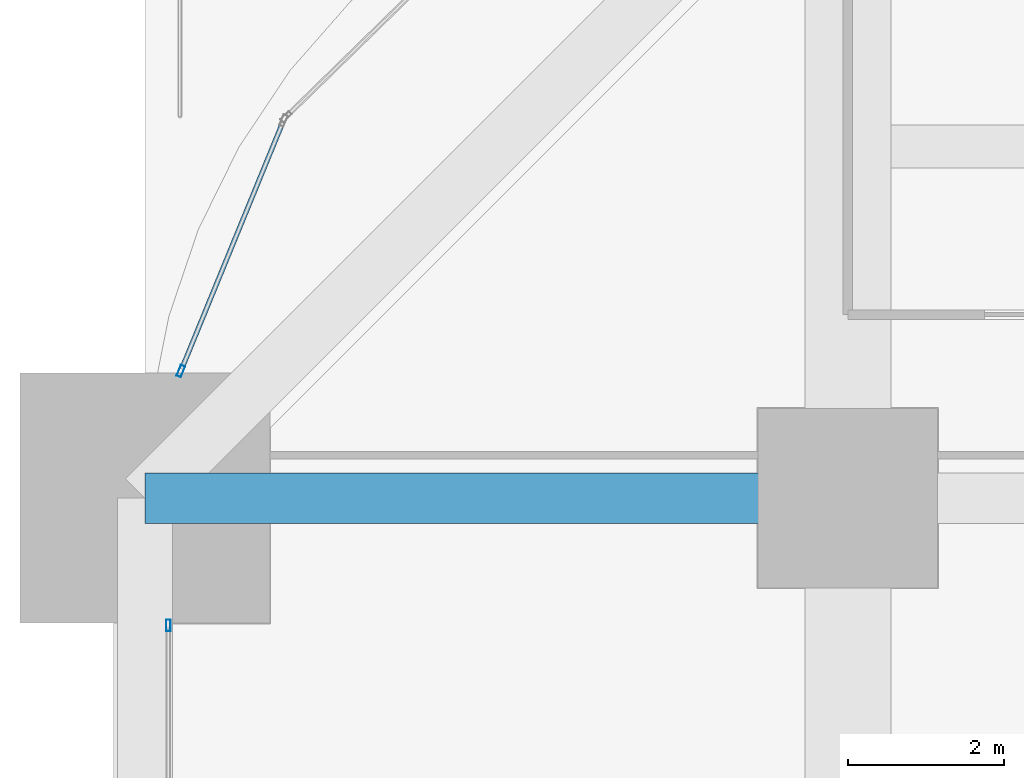
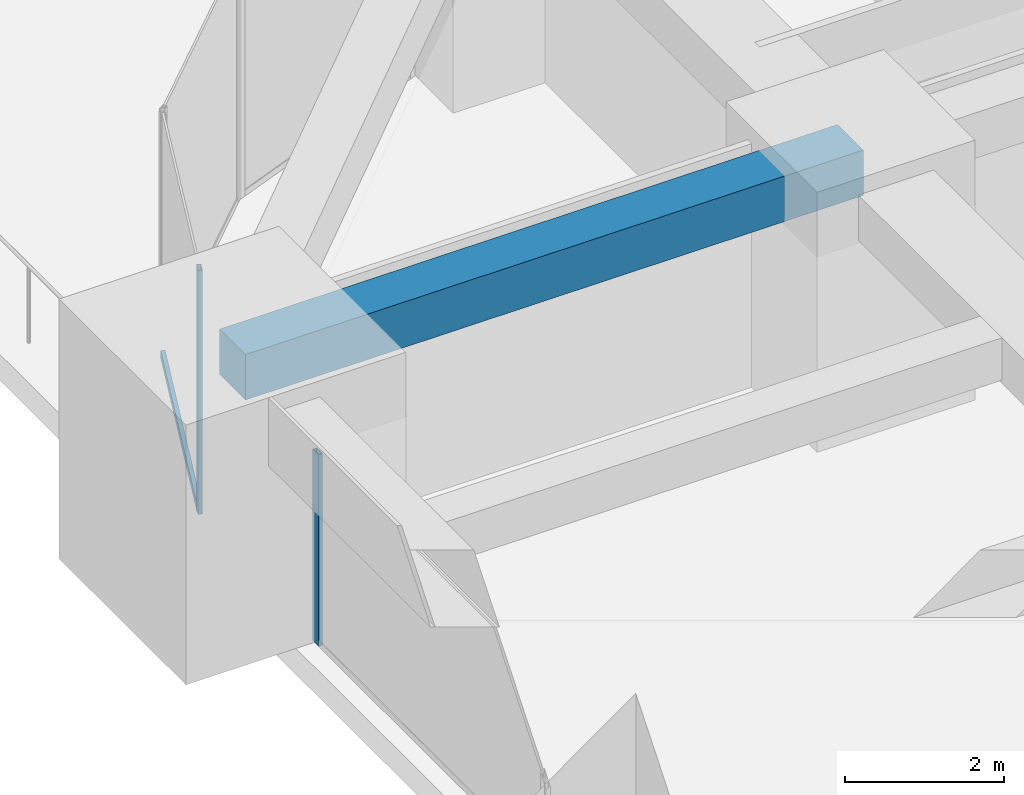
# One storey, part 24 of 50: 3 members, 1 beam, 2 elements without a shape of their own.
"""IFC4 building model written with IfcOpenShell, lengths in metres."""

from ifc_helpers import new_model, si_unit, direction, frame, origin, origin_2d, place, context, subcontext, project, spatial, rectangle, hollow_rectangle, extrude, material, material_profile, profile_set, type_object, element, aggregate, save


model = new_model("IFC4")

# Units and contexts
model_context = context("Model", 3, precision=1e-05, world=origin(), true_north=direction((0.0, 1.0)))
body_context = subcontext(model_context, "Body", "Model", "MODEL_VIEW")
ifc_project = project(units=[si_unit("LENGTHUNIT", "METRE"), si_unit("AREAUNIT", "SQUARE_METRE"), si_unit("VOLUMEUNIT", "CUBIC_METRE"), si_unit("PLANEANGLEUNIT", "RADIAN"), si_unit("MASSUNIT", "GRAM", prefix="KILO")], contexts=[model_context])

# Site, building, storey
site_placement = place(None, origin())
site = spatial("IfcSite", under=ifc_project, at=site_placement, CompositionType="ELEMENT")
building_placement = place(site_placement, origin())
building = spatial("IfcBuilding", under=site, at=building_placement, Name="Zorevar Civic Tower", CompositionType="ELEMENT")
storey_placement = place(building_placement, frame((0.0, 0.0, 85.0)))
storey = spatial("IfcBuildingStorey", under=building, at=storey_placement, Name="L20", CompositionType="ELEMENT", Elevation=85.0)

# Beam
ifc_material_1 = material(Name="Concrete C50/60", Category="concrete")
ifc_material_profile_1 = material_profile(ifc_material_1, rectangle(XDim=0.64990234375, YDim=0.699951171875, at=origin_2d()), Name="RC 650x700")
ifc_profile_set_1 = profile_set([ifc_material_profile_1], Name="Concrete C50/60")
beam_type = type_object("IfcBeamType", Name="Beam RC 650x700", PredefinedType="BEAM", material=ifc_profile_set_1)
beam_placement = place(storey_placement, frame((0.0, 36.0, 3.39990234375), z_axis=(1.0, 0.0, 0.0), x_axis=(0.0, 1.0, 0.0)))
element("IfcBeam", 1, at=beam_placement, inside=storey, type_object=beam_type, Name="Girder L21", PredefinedType="BEAM", context=body_context, shape_type="SweptSolid", body=[
    extrude(rectangle(XDim=0.64990234375, YDim=0.699951171875, at=origin_2d()), origin(), (0.0, 0.0, 1.0), 9.0),
])

# Curtain wall, member
ifc_material_2 = material(Name="Dark grey solar-control glass in black aluminium frame", Category="aluminium")
curtain_wall_type = type_object("IfcCurtainWallType", Name="Curtain wall CW3 mid zone", PredefinedType="NOTDEFINED", material=ifc_material_2)
curtain_wall_1_placement = place(storey_placement, origin())
curtain_wall_1 = element("IfcCurtainWall", 2, at=curtain_wall_1_placement, inside=storey, type_object=curtain_wall_type, Name="CW3 L20", PredefinedType="NOTDEFINED")
ifc_material_3 = material(Name="Aluminium, black anodised", Category="aluminium")
ifc_material_profile_2 = material_profile(ifc_material_3, hollow_rectangle(XDim=0.06005859375, YDim=0.14990234375, WallThickness=0.00390625, at=origin_2d()), Name="AL 150x60x4")
ifc_profile_set_2 = profile_set([ifc_material_profile_2], Name="Aluminium, black anodised")
member_type_1 = type_object("IfcMemberType", Name="CW3 mullion AL 150x60x4", PredefinedType="MULLION", material=ifc_profile_set_2)
member_1_placement = place(storey_placement, frame((0.300048828125, 34.3701171875, 0.0), z_axis=(0.0, 0.0, 1.0), x_axis=(-1.0, 0.0, 0.0)))
member_1 = element("IfcMember", 3, at=member_1_placement, type_object=member_type_1, Name="CW3 mullion 2", PredefinedType="MULLION", context=body_context, shape_type="SweptSolid", body=[
    extrude(hollow_rectangle(XDim=0.06005859375, YDim=0.14990234375, WallThickness=0.00390625, at=origin_2d()), origin(), (0.0, 0.0, 1.0), 2.949951171875),
])
aggregate(curtain_wall_1, [member_1])

# Curtain wall, members
curtain_wall_2_placement = place(storey_placement, origin())
curtain_wall_2 = element("IfcCurtainWall", 4, at=curtain_wall_2_placement, inside=storey, type_object=curtain_wall_type, Name="CW3 L20", PredefinedType="NOTDEFINED")
member_2_placement = place(storey_placement, frame((0.459716796875, 37.627685546875, 0.0), z_axis=(0.0, 0.0, 1.0), x_axis=(0.925293982968, -0.379250636233, 0.0)))
member_2 = element("IfcMember", 5, at=member_2_placement, type_object=member_type_1, Name="CW3 mullion 2", PredefinedType="MULLION", context=body_context, shape_type="SweptSolid", body=[
    extrude(hollow_rectangle(XDim=0.06005859375, YDim=0.14990234375, WallThickness=0.00390625, at=origin_2d()), origin(), (0.0, 0.0, 1.0), 3.75),
])
ifc_material_4 = material(Name="Aluminium, black anodised", Category="aluminium")
ifc_material_profile_3 = material_profile(ifc_material_4, hollow_rectangle(XDim=0.06005859375, YDim=0.1201171875, WallThickness=0.0029296875, at=origin_2d()), Name="AL 120x60x3")
ifc_profile_set_3 = profile_set([ifc_material_profile_3], Name="Aluminium, black anodised")
member_type_2 = type_object("IfcMemberType", Name="CW3 transom AL 120x60x3", PredefinedType="USERDEFINED", material=ifc_profile_set_3)
member_3_placement = place(storey_placement, frame((1.7626953125, 40.806640625, 0.030029296875), z_axis=(-0.37923851087, -0.925298952703, 0.0), x_axis=(0.925298952703, -0.37923851087, 0.0)))
member_3 = element("IfcMember", 6, at=member_3_placement, type_object=member_type_2, Name="CW3 sill transom", ObjectType="TRANSOM", PredefinedType="USERDEFINED", context=body_context, shape_type="SweptSolid", body=[
    extrude(hollow_rectangle(XDim=0.06005859375, YDim=0.1201171875, WallThickness=0.0029296875, at=origin_2d()), origin(), (0.0, 0.0, 1.0), 3.405517578125),
])
aggregate(curtain_wall_2, [member_2, member_3])

save(model, "model.ifc")
